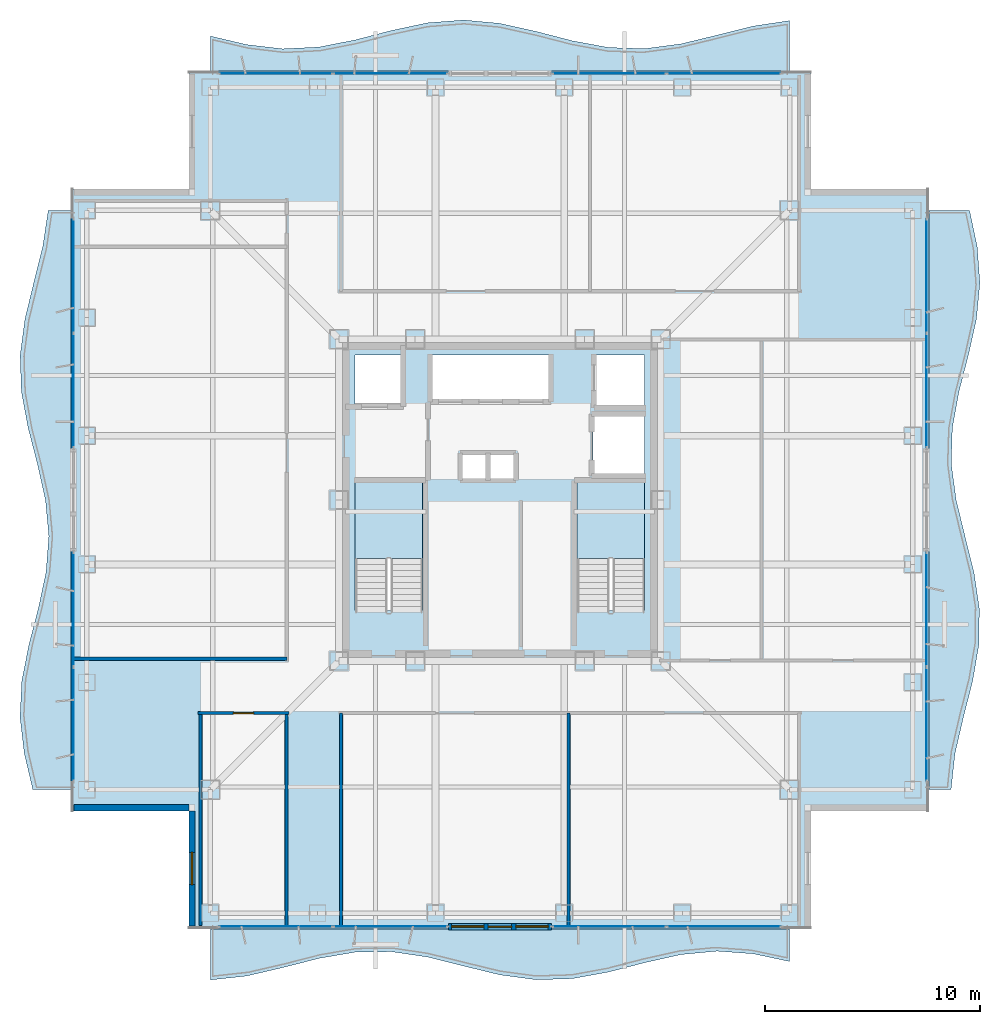
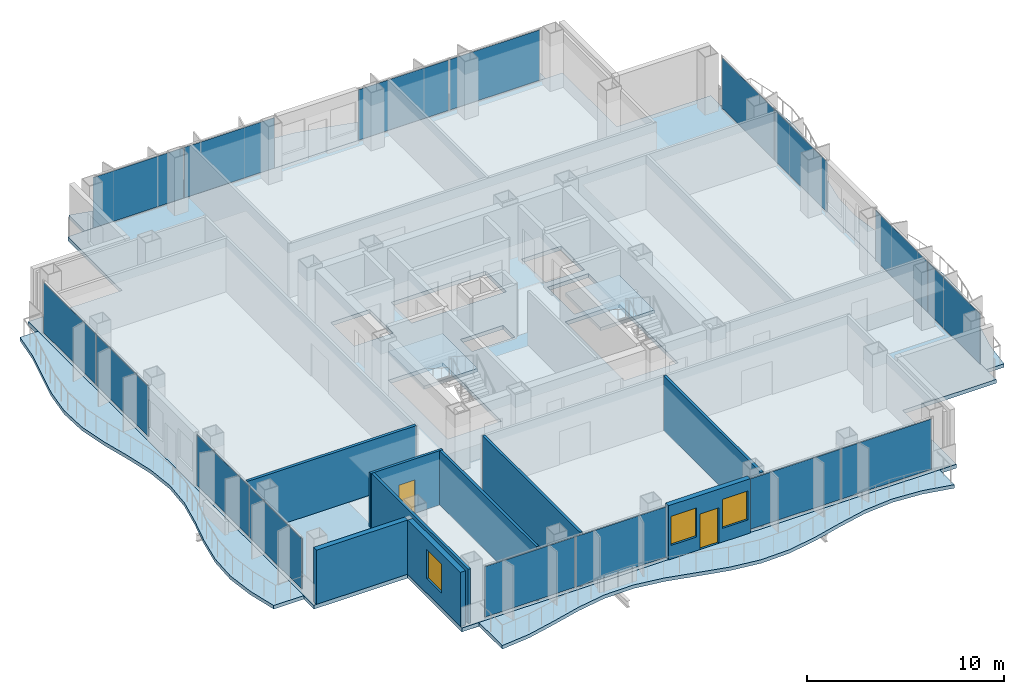
# One storey, part 10 of 16: 16 plates, 9 walls, 7 slabs, 3 windows, 2 doors, 5 openings, 10 elements without a shape of their own.
"""IFC4 building model written with IfcOpenShell, lengths in metres."""

import ifcopenshell
import ifcopenshell.guid

model = None  # the IFC model being written
_history = None  # IfcOwnerHistory: only IFC2X3 demands one
_inside = {}  # id of a spatial element -> (the spatial element, [elements in it])
_under = {}  # id of a project, library or spatial element -> (it, [spatial elements below it])
_declared = {}  # id of a project -> (the project, [libraries it declares])
_typed = {}  # id of a type object -> (the type object, [elements of that type])
_made_of = {}  # id of a material, layer set ... -> (it, [elements and type objects made of it])


def new_model(schema):
    """Start an empty IFC model of exactly this schema.

    Asked for "IFC4X3", IfcOpenShell would pick the latest addendum, in which some entities
    have other attributes; the version numbers below select the first issue.
    IFC2X3 requires an IfcOwnerHistory on every rooted entity: one is made here for all.
    """
    global model, _history
    if schema == "IFC4X3":
        model = ifcopenshell.file(schema_version=(4, 3, 0, 0))
    else:
        model = ifcopenshell.file(schema=schema)
    _inside.clear()
    _under.clear()
    _declared.clear()
    _typed.clear()
    _made_of.clear()
    _history = None
    if model.schema == "IFC2X3":
        org = make("IfcOrganization", Name="unknown")
        user = make(
            "IfcPersonAndOrganization",
            ThePerson=make("IfcPerson", FamilyName="unknown"),
            TheOrganization=org,
        )
        app = make(
            "IfcApplication",
            ApplicationDeveloper=org,
            Version="unknown",
            ApplicationFullName="unknown",
            ApplicationIdentifier="unknown",
        )
        _history = make(
            "IfcOwnerHistory",
            OwningUser=user,
            OwningApplication=app,
            ChangeAction="ADDED",
            CreationDate=0,
        )
    return model


def make(cls, **values):
    """One entity of the class cls with the attributes given. An attribute that is None is left unset."""
    return model.create_entity(
        cls, **{name: value for name, value in values.items() if value is not None}
    )


def rooted(cls, **values):
    """An entity with a GlobalId (a new one), such as an element, a storey or a relation."""
    return make(cls, GlobalId=ifcopenshell.guid.new(), OwnerHistory=_history, **values)


def si_unit(unit_type, name, prefix=None):
    """IfcSIUnit, for example si_unit("LENGTHUNIT", "METRE", prefix="MILLI")."""
    return make("IfcSIUnit", UnitType=unit_type, Prefix=prefix, Name=name)


def assignment(units):
    """IfcUnitAssignment: the units of a project."""
    return None if units is None else make("IfcUnitAssignment", Units=units)


def point(xyz):
    """IfcCartesianPoint."""
    return None if xyz is None else make("IfcCartesianPoint", Coordinates=xyz)


def direction(xyz):
    """IfcDirection."""
    return None if xyz is None else make("IfcDirection", DirectionRatios=xyz)


def frame(location, z_axis=None, x_axis=None):
    """IfcAxis2Placement3D, a coordinate frame: its origin and axes. An axis left out is left unset."""
    return make(
        "IfcAxis2Placement3D",
        Location=point(location),
        Axis=direction(z_axis),
        RefDirection=direction(x_axis),
    )


def frame_2d(location, x_axis=None):
    """IfcAxis2Placement2D, a coordinate frame in the plane: its origin and x axis."""
    return make(
        "IfcAxis2Placement2D", Location=point(location), RefDirection=direction(x_axis)
    )


def origin():
    """The frame at (0, 0, 0) with its axes left unset."""
    return frame((0.0, 0.0, 0.0))


def origin_2d():
    """The frame at (0, 0) in the plane with its x axis left unset."""
    return frame_2d((0.0, 0.0))


def place(relative_to, where):
    """IfcLocalPlacement: puts the frame where relative to a parent placement (None: the world)."""
    return make(
        "IfcLocalPlacement", PlacementRelTo=relative_to, RelativePlacement=where
    )


def context(
    kind, dimensions, precision=None, world=None, true_north=None, identifier=None
):
    """IfcGeometricRepresentationContext, for example the 3D "Model" context."""
    return make(
        "IfcGeometricRepresentationContext",
        ContextIdentifier=identifier,
        ContextType=kind,
        CoordinateSpaceDimension=dimensions,
        Precision=precision,
        WorldCoordinateSystem=world,
        TrueNorth=true_north,
    )


def subcontext(parent, identifier, kind, view, scale=None):
    """IfcGeometricRepresentationSubContext, for example "Body" below "Model"."""
    return make(
        "IfcGeometricRepresentationSubContext",
        ContextIdentifier=identifier,
        ContextType=kind,
        ParentContext=parent,
        TargetScale=scale,
        TargetView=view,
    )


def project(units=None, contexts=None):
    """IfcProject with its units and contexts."""
    return rooted(
        "IfcProject",
        Name="project",
        RepresentationContexts=contexts,
        UnitsInContext=assignment(units),
    )


def spatial(cls, under=None, at=None, **own):
    """A site, building, storey or space (cls), placed at a placement, below another one or the project."""
    s = rooted(cls, ObjectPlacement=at, **own)
    if under is not None:
        _under.setdefault(under.id(), (under, []))[1].append(s)
    return s


def polyline(points):
    """IfcPolyline through the points."""
    return make("IfcPolyline", Points=[point(p) for p in points])


def profile(cls, at=None, kind="AREA", **sizes):
    """A parametric profile (cls). Its sizes go by their IFC names, for example OverallWidth=200.0."""
    return make(cls, ProfileType=kind, Position=at, **sizes)


def rectangle(**sizes):
    """IfcRectangleProfileDef."""
    return profile("IfcRectangleProfileDef", **sizes)


def outline(outer, holes=None, kind="AREA"):
    """IfcArbitraryClosedProfileDef: a profile drawn as a closed curve; with holes, ...WithVoids."""
    if holes is None:
        return make("IfcArbitraryClosedProfileDef", ProfileType=kind, OuterCurve=outer)
    return make(
        "IfcArbitraryProfileDefWithVoids",
        ProfileType=kind,
        OuterCurve=outer,
        InnerCurves=holes,
    )


def extrude(swept, where, along, depth):
    """IfcExtrudedAreaSolid: the profile swept, set in the frame where, extruded along a direction by depth."""
    return make(
        "IfcExtrudedAreaSolid",
        SweptArea=swept,
        Position=where,
        ExtrudedDirection=direction(along),
        Depth=depth,
    )


def shape(context_of_items, identifier, shape_type, items):
    """IfcShapeRepresentation: the items that make up one representation, for example the "Body"."""
    return make(
        "IfcShapeRepresentation",
        ContextOfItems=context_of_items,
        RepresentationIdentifier=identifier,
        RepresentationType=shape_type,
        Items=items,
    )


def material(Name=None, Category=None):
    """IfcMaterial."""
    return make("IfcMaterial", Name=Name, Category=Category)


def layer(
    of_material, thickness, ventilated=None, Name=None, Category=None, Priority=None
):
    """IfcMaterialLayer: one layer of a wall or slab, of a material (None: an air gap)."""
    return make(
        "IfcMaterialLayer",
        Material=of_material,
        LayerThickness=thickness,
        IsVentilated=ventilated,
        Name=Name,
        Category=Category,
        Priority=Priority,
    )


def layer_set(layers, Name=None):
    """IfcMaterialLayerSet."""
    return make("IfcMaterialLayerSet", MaterialLayers=layers, LayerSetName=Name)


def made_of(thing, what):
    """Note that an element or type object is made of a material, layer set ...; save() writes the relation."""
    if what is not None:
        _made_of.setdefault(what.id(), (what, []))[1].append(thing)
    return thing


def type_object(cls, material=None, **own):
    """A type object (cls), such as IfcWallType, which elements share."""
    return made_of(rooted(cls, **own), material)


def element(
    cls,
    number,
    at=None,
    inside=None,
    cuts=None,
    type_object=None,
    material=None,
    context=None,
    identifier="Body",
    shape_type=None,
    held_by="IfcProductDefinitionShape",
    body=None,
    shapes=None,
    **own,
):
    """One element of the class cls, such as IfcWall. Its Tag is "e" and its number.

    at: its placement. inside: the storey or other place that contains it. cuts: it is an
    opening in that element (IfcRelVoidsElement). A single representation is given by context,
    identifier, shape_type and body (its items); several are given by shapes. held_by: the class
    of the entity that holds the representations. save() writes the other relations.
    """
    e = rooted(cls, Tag="e%d" % number, ObjectPlacement=at, **own)
    if body is not None:
        shapes = [shape(context, identifier, shape_type, body)]
    if shapes is not None:
        e.Representation = make(held_by, Representations=shapes)
    if inside is not None:
        _inside.setdefault(inside.id(), (inside, []))[1].append(e)
    if cuts is not None:
        rooted(
            "IfcRelVoidsElement", RelatingBuildingElement=cuts, RelatedOpeningElement=e
        )
    if type_object is not None:
        _typed.setdefault(type_object.id(), (type_object, []))[1].append(e)
    return made_of(e, material)


def fill(opening, filler):
    """IfcRelFillsElement: the door or window that sits in an opening."""
    return rooted(
        "IfcRelFillsElement",
        RelatingOpeningElement=opening,
        RelatedBuildingElement=filler,
    )


def aggregate(whole, parts):
    """IfcRelAggregates: a whole, such as a stair, and the parts it consists of."""
    return rooted("IfcRelAggregates", RelatingObject=whole, RelatedObjects=parts)


def save(model, path):
    """Write the relations noted so far, then the file.

    IfcRelAggregates (storeys below a building ...), IfcRelContainedInSpatialStructure (elements
    in a storey), IfcRelDefinesByType, IfcRelAssociatesMaterial and IfcRelDeclares: one each for
    every whole, place, type object, material and project.
    """
    for whole, parts in _under.values():
        aggregate(whole, parts)
    for where, things in _inside.values():
        rooted(
            "IfcRelContainedInSpatialStructure",
            RelatedElements=things,
            RelatingStructure=where,
        )
    for kind, things in _typed.values():
        rooted("IfcRelDefinesByType", RelatedObjects=things, RelatingType=kind)
    for what, things in _made_of.values():
        rooted("IfcRelAssociatesMaterial", RelatedObjects=things, RelatingMaterial=what)
    for by, libraries in _declared.values():
        rooted("IfcRelDeclares", RelatingContext=by, RelatedDefinitions=libraries)
    model.write(path)


model = new_model("IFC4")

# Units and contexts
model_context = context("Model", 3, precision=1e-05, world=origin(), true_north=direction((0.0, 1.0)))
body_context = subcontext(model_context, "Body", "Model", "MODEL_VIEW")
ifc_project = project(units=[si_unit("LENGTHUNIT", "METRE"), si_unit("AREAUNIT", "SQUARE_METRE"), si_unit("VOLUMEUNIT", "CUBIC_METRE"), si_unit("PLANEANGLEUNIT", "RADIAN"), si_unit("MASSUNIT", "GRAM", prefix="KILO")], contexts=[model_context])

# Site, building, storey
site_placement = place(None, origin())
site = spatial("IfcSite", under=ifc_project, at=site_placement, CompositionType="ELEMENT")
building_placement = place(site_placement, origin())
building = spatial("IfcBuilding", under=site, at=building_placement, Name="Trevonay Congress Spire", CompositionType="ELEMENT")
storey_placement = place(building_placement, frame((0.0, 0.0, 195.0)))
storey = spatial("IfcBuildingStorey", under=building, at=storey_placement, Name="L50", CompositionType="ELEMENT", Elevation=195.0)

# Curtain wall, plates
ifc_material_1 = material(Name="Pale Anodised Aluminium EN AW-6063-T6", Category="aluminium")
ifc_layer_1 = layer(ifc_material_1, 0.169921875, Name="Pale Anodised Aluminium EN AW-6063-T6")
ifc_layer_set_1 = layer_set([ifc_layer_1], Name="Pale Anodised Aluminium EN AW-6063-T6")
curtain_wall_type = type_object("IfcCurtainWallType", Name="CW-SYS04-CORP-PALE-METAL", PredefinedType="NOTDEFINED", material=ifc_layer_set_1)
curtain_wall_1_placement = place(storey_placement, origin())
curtain_wall_1 = element("IfcCurtainWall", 1, at=curtain_wall_1_placement, inside=storey, type_object=curtain_wall_type, Name="L50 SA unitised curtain wall", PredefinedType="NOTDEFINED")
ifc_material_2 = material(Name="Insulated Low-E Vision Glass IGU", Category="glass")
ifc_layer_2 = layer(ifc_material_2, 0.035888671875, Name="Insulated Low-E Vision Glass IGU")
ifc_layer_set_2 = layer_set([ifc_layer_2], Name="Insulated Low-E Vision Glass IGU")
plate_type = type_object("IfcPlateType", Name="CW-PANEL-IGU36-SILVER", PredefinedType="CURTAIN_PANEL", material=ifc_layer_set_2)
plate_1_placement = place(storey_placement, frame((-10.447509765625, -19.8798828125, 0.119873046875), z_axis=(0.0, 0.0, 1.0), x_axis=(1.0, 0.0, 0.0)))
plate_1 = element("IfcPlate", 2, at=plate_1_placement, type_object=plate_type, Name="CW04 panel 1.1", PredefinedType="CURTAIN_PANEL", context=body_context, shape_type="SweptSolid", body=[
    extrude(rectangle(XDim=5.284912109375, YDim=0.035888671875, at=origin_2d()), origin(), (0.0, 0.0, 1.0), 3.1201171875),
])
plate_2_placement = place(storey_placement, frame((-5.1025390625, -19.8798828125, 0.119873046875), z_axis=(0.0, 0.0, 1.0), x_axis=(1.0, 0.0, 0.0)))
plate_2 = element("IfcPlate", 3, at=plate_2_placement, type_object=plate_type, Name="CW04 panel 2.1", PredefinedType="CURTAIN_PANEL", context=body_context, shape_type="SweptSolid", body=[
    extrude(rectangle(XDim=5.284912109375, YDim=0.035888671875, at=origin_2d()), origin(), (0.0, 0.0, 1.0), 3.1201171875),
])
aggregate(curtain_wall_1, [plate_1, plate_2])

curtain_wall_2_placement = place(storey_placement, origin())
curtain_wall_2 = element("IfcCurtainWall", 4, at=curtain_wall_2_placement, inside=storey, type_object=curtain_wall_type, Name="L50 SB unitised curtain wall", PredefinedType="NOTDEFINED")
plate_3_placement = place(storey_placement, frame((5.1025390625, -19.8798828125, 0.119873046875), z_axis=(0.0, 0.0, 1.0), x_axis=(1.0, 0.0, 0.0)))
plate_3 = element("IfcPlate", 5, at=plate_3_placement, type_object=plate_type, Name="CW04 panel 1.1", PredefinedType="CURTAIN_PANEL", context=body_context, shape_type="SweptSolid", body=[
    extrude(rectangle(XDim=5.284912109375, YDim=0.035888671875, at=origin_2d()), origin(), (0.0, 0.0, 1.0), 3.1201171875),
])
plate_4_placement = place(storey_placement, frame((10.447509765625, -19.8798828125, 0.119873046875), z_axis=(0.0, 0.0, 1.0), x_axis=(1.0, 0.0, 0.0)))
plate_4 = element("IfcPlate", 6, at=plate_4_placement, type_object=plate_type, Name="CW04 panel 2.1", PredefinedType="CURTAIN_PANEL", context=body_context, shape_type="SweptSolid", body=[
    extrude(rectangle(XDim=5.284912109375, YDim=0.035888671875, at=origin_2d()), origin(), (0.0, 0.0, 1.0), 3.1201171875),
])
aggregate(curtain_wall_2, [plate_3, plate_4])

curtain_wall_3_placement = place(storey_placement, origin())
curtain_wall_3 = element("IfcCurtainWall", 7, at=curtain_wall_3_placement, inside=storey, type_object=curtain_wall_type, Name="L50 NA unitised curtain wall", PredefinedType="NOTDEFINED")
plate_5_placement = place(storey_placement, frame((-10.447509765625, 19.8798828125, 0.119873046875), z_axis=(0.0, 0.0, 1.0), x_axis=(1.0, 0.0, 0.0)))
plate_5 = element("IfcPlate", 8, at=plate_5_placement, type_object=plate_type, Name="CW04 panel 1.1", PredefinedType="CURTAIN_PANEL", context=body_context, shape_type="SweptSolid", body=[
    extrude(rectangle(XDim=5.284912109375, YDim=0.035888671875, at=origin_2d()), origin(), (0.0, 0.0, 1.0), 3.1201171875),
])
plate_6_placement = place(storey_placement, frame((-5.1025390625, 19.8798828125, 0.119873046875), z_axis=(0.0, 0.0, 1.0), x_axis=(1.0, 0.0, 0.0)))
plate_6 = element("IfcPlate", 9, at=plate_6_placement, type_object=plate_type, Name="CW04 panel 2.1", PredefinedType="CURTAIN_PANEL", context=body_context, shape_type="SweptSolid", body=[
    extrude(rectangle(XDim=5.284912109375, YDim=0.035888671875, at=origin_2d()), origin(), (0.0, 0.0, 1.0), 3.1201171875),
])
aggregate(curtain_wall_3, [plate_5, plate_6])

curtain_wall_4_placement = place(storey_placement, origin())
curtain_wall_4 = element("IfcCurtainWall", 10, at=curtain_wall_4_placement, inside=storey, type_object=curtain_wall_type, Name="L50 NB unitised curtain wall", PredefinedType="NOTDEFINED")
plate_7_placement = place(storey_placement, frame((5.1025390625, 19.8798828125, 0.119873046875), z_axis=(0.0, 0.0, 1.0), x_axis=(1.0, 0.0, 0.0)))
plate_7 = element("IfcPlate", 11, at=plate_7_placement, type_object=plate_type, Name="CW04 panel 1.1", PredefinedType="CURTAIN_PANEL", context=body_context, shape_type="SweptSolid", body=[
    extrude(rectangle(XDim=5.284912109375, YDim=0.035888671875, at=origin_2d()), origin(), (0.0, 0.0, 1.0), 3.1201171875),
])
plate_8_placement = place(storey_placement, frame((10.447509765625, 19.8798828125, 0.119873046875), z_axis=(0.0, 0.0, 1.0), x_axis=(1.0, 0.0, 0.0)))
plate_8 = element("IfcPlate", 12, at=plate_8_placement, type_object=plate_type, Name="CW04 panel 2.1", PredefinedType="CURTAIN_PANEL", context=body_context, shape_type="SweptSolid", body=[
    extrude(rectangle(XDim=5.284912109375, YDim=0.035888671875, at=origin_2d()), origin(), (0.0, 0.0, 1.0), 3.1201171875),
])
aggregate(curtain_wall_4, [plate_7, plate_8])

curtain_wall_5_placement = place(storey_placement, origin())
curtain_wall_5 = element("IfcCurtainWall", 13, at=curtain_wall_5_placement, inside=storey, type_object=curtain_wall_type, Name="L50 WA unitised curtain wall", PredefinedType="NOTDEFINED")
plate_9_placement = place(storey_placement, frame((-19.8798828125, -10.447509765625, 0.119873046875), z_axis=(0.0, 0.0, 1.0), x_axis=(0.0, 1.0, 0.0)))
plate_9 = element("IfcPlate", 14, at=plate_9_placement, type_object=plate_type, Name="CW04 panel 1.1", PredefinedType="CURTAIN_PANEL", context=body_context, shape_type="SweptSolid", body=[
    extrude(rectangle(XDim=5.284912109375, YDim=0.035888671875, at=origin_2d()), origin(), (0.0, 0.0, 1.0), 3.1201171875),
])
plate_10_placement = place(storey_placement, frame((-19.8798828125, -5.1025390625, 0.119873046875), z_axis=(0.0, 0.0, 1.0), x_axis=(0.0, 1.0, 0.0)))
plate_10 = element("IfcPlate", 15, at=plate_10_placement, type_object=plate_type, Name="CW04 panel 2.1", PredefinedType="CURTAIN_PANEL", context=body_context, shape_type="SweptSolid", body=[
    extrude(rectangle(XDim=5.284912109375, YDim=0.035888671875, at=origin_2d()), origin(), (0.0, 0.0, 1.0), 3.1201171875),
])
aggregate(curtain_wall_5, [plate_9, plate_10])

curtain_wall_6_placement = place(storey_placement, origin())
curtain_wall_6 = element("IfcCurtainWall", 16, at=curtain_wall_6_placement, inside=storey, type_object=curtain_wall_type, Name="L50 WB unitised curtain wall", PredefinedType="NOTDEFINED")
plate_11_placement = place(storey_placement, frame((-19.8798828125, 5.1025390625, 0.119873046875), z_axis=(0.0, 0.0, 1.0), x_axis=(0.0, 1.0, 0.0)))
plate_11 = element("IfcPlate", 17, at=plate_11_placement, type_object=plate_type, Name="CW04 panel 1.1", PredefinedType="CURTAIN_PANEL", context=body_context, shape_type="SweptSolid", body=[
    extrude(rectangle(XDim=5.284912109375, YDim=0.035888671875, at=origin_2d()), origin(), (0.0, 0.0, 1.0), 3.1201171875),
])
plate_12_placement = place(storey_placement, frame((-19.8798828125, 10.447509765625, 0.119873046875), z_axis=(0.0, 0.0, 1.0), x_axis=(0.0, 1.0, 0.0)))
plate_12 = element("IfcPlate", 18, at=plate_12_placement, type_object=plate_type, Name="CW04 panel 2.1", PredefinedType="CURTAIN_PANEL", context=body_context, shape_type="SweptSolid", body=[
    extrude(rectangle(XDim=5.284912109375, YDim=0.035888671875, at=origin_2d()), origin(), (0.0, 0.0, 1.0), 3.1201171875),
])
aggregate(curtain_wall_6, [plate_11, plate_12])

curtain_wall_7_placement = place(storey_placement, origin())
curtain_wall_7 = element("IfcCurtainWall", 19, at=curtain_wall_7_placement, inside=storey, type_object=curtain_wall_type, Name="L50 EA unitised curtain wall", PredefinedType="NOTDEFINED")
plate_13_placement = place(storey_placement, frame((19.8798828125, -10.447509765625, 0.119873046875), z_axis=(0.0, 0.0, 1.0), x_axis=(0.0, 1.0, 0.0)))
plate_13 = element("IfcPlate", 20, at=plate_13_placement, type_object=plate_type, Name="CW04 panel 1.1", PredefinedType="CURTAIN_PANEL", context=body_context, shape_type="SweptSolid", body=[
    extrude(rectangle(XDim=5.284912109375, YDim=0.035888671875, at=origin_2d()), origin(), (0.0, 0.0, 1.0), 3.1201171875),
])
plate_14_placement = place(storey_placement, frame((19.8798828125, -5.1025390625, 0.119873046875), z_axis=(0.0, 0.0, 1.0), x_axis=(0.0, 1.0, 0.0)))
plate_14 = element("IfcPlate", 21, at=plate_14_placement, type_object=plate_type, Name="CW04 panel 2.1", PredefinedType="CURTAIN_PANEL", context=body_context, shape_type="SweptSolid", body=[
    extrude(rectangle(XDim=5.284912109375, YDim=0.035888671875, at=origin_2d()), origin(), (0.0, 0.0, 1.0), 3.1201171875),
])
aggregate(curtain_wall_7, [plate_13, plate_14])

curtain_wall_8_placement = place(storey_placement, origin())
curtain_wall_8 = element("IfcCurtainWall", 22, at=curtain_wall_8_placement, inside=storey, type_object=curtain_wall_type, Name="L50 EB unitised curtain wall", PredefinedType="NOTDEFINED")
plate_15_placement = place(storey_placement, frame((19.8798828125, 5.1025390625, 0.119873046875), z_axis=(0.0, 0.0, 1.0), x_axis=(0.0, 1.0, 0.0)))
plate_15 = element("IfcPlate", 23, at=plate_15_placement, type_object=plate_type, Name="CW04 panel 1.1", PredefinedType="CURTAIN_PANEL", context=body_context, shape_type="SweptSolid", body=[
    extrude(rectangle(XDim=5.284912109375, YDim=0.035888671875, at=origin_2d()), origin(), (0.0, 0.0, 1.0), 3.1201171875),
])
plate_16_placement = place(storey_placement, frame((19.8798828125, 10.447509765625, 0.119873046875), z_axis=(0.0, 0.0, 1.0), x_axis=(0.0, 1.0, 0.0)))
plate_16 = element("IfcPlate", 24, at=plate_16_placement, type_object=plate_type, Name="CW04 panel 2.1", PredefinedType="CURTAIN_PANEL", context=body_context, shape_type="SweptSolid", body=[
    extrude(rectangle(XDim=5.284912109375, YDim=0.035888671875, at=origin_2d()), origin(), (0.0, 0.0, 1.0), 3.1201171875),
])
aggregate(curtain_wall_8, [plate_15, plate_16])

# Stair, slab
ifc_material_3 = material(Name="Concrete C40/50", Category="concrete")
stair_type_1 = type_object("IfcStairType", Name="STR-ST-1", PredefinedType="HALF_TURN_STAIR", material=ifc_material_3)
stair_1_placement = place(storey_placement, origin())
stair_1 = element("IfcStair", 25, at=stair_1_placement, inside=storey, type_object=stair_type_1, Name="L50 Protected Exit Stair ST-1", PredefinedType="HALF_TURN_STAIR")
ifc_layer_3 = layer(ifc_material_3, 0.199951171875, Name="Concrete C40/50")
ifc_layer_set_3 = layer_set([ifc_layer_3], Name="Concrete C40/50")
slab_type_1 = type_object("IfcSlabType", Name="SLB-STAIR-LAND-200", PredefinedType="LANDING", material=ifc_layer_set_3)
slab_1_placement = place(storey_placement, frame((0.0, 0.0, 1.60009765625)))
slab_1 = element("IfcSlab", 26, at=slab_1_placement, type_object=slab_type_1, Name="ST-1 landing 1", PredefinedType="LANDING", context=body_context, shape_type="SweptSolid", body=[
    extrude(outline(polyline([(-3.60009765625, -2.72998046875), (-3.60009765625, 0.85009765625), (-6.75, 0.85009765625), (-6.75, -2.72998046875), (-3.60009765625, -2.72998046875)])), origin(), (0.0, 0.0, 1.0), 0.199951171875),
])
aggregate(stair_1, [slab_1])

stair_type_2 = type_object("IfcStairType", Name="STR-ST-2", PredefinedType="HALF_TURN_STAIR", material=ifc_material_3)
stair_2_placement = place(storey_placement, origin())
stair_2 = element("IfcStair", 27, at=stair_2_placement, inside=storey, type_object=stair_type_2, Name="L50 Protected Exit Stair ST-2", PredefinedType="HALF_TURN_STAIR")
slab_2_placement = place(storey_placement, frame((0.0, 0.0, 1.60009765625)))
slab_2 = element("IfcSlab", 28, at=slab_2_placement, type_object=slab_type_1, Name="ST-2 landing 1", PredefinedType="LANDING", context=body_context, shape_type="SweptSolid", body=[
    extrude(outline(polyline([(6.75, -2.72998046875), (6.75, 0.85009765625), (3.60009765625, 0.85009765625), (3.60009765625, -2.72998046875), (6.75, -2.72998046875)])), origin(), (0.0, 0.0, 1.0), 0.199951171875),
])
aggregate(stair_2, [slab_2])

# Slabs
ifc_layer_4 = layer(ifc_material_3, 0.239990234375, Name="Concrete C40/50")
ifc_layer_set_4 = layer_set([ifc_layer_4], Name="Concrete C40/50")
slab_type_2 = type_object("IfcSlabType", Name="SLB-TOW2-240", PredefinedType="FLOOR", material=ifc_layer_set_4)
slab_3_placement = place(storey_placement, frame((0.0, 0.0, -0.239990234375)))
element("IfcSlab", 29, at=slab_3_placement, inside=storey, type_object=slab_type_2, Name="L50 structural floor slab", PredefinedType="FLOOR", context=body_context, shape_type="SweptSolid", body=[
    extrude(outline(polyline([(-14.5, -20.0), (14.5, -20.0), (14.5, -14.5), (20.0, -14.5), (20.0, 14.5), (14.5, 14.5), (14.5, 20.0), (-14.5, 20.0), (-14.5, 14.5), (-20.0, 14.5), (-20.0, -14.5), (-14.5, -14.5), (-14.5, -20.0)]), holes=[polyline([(-3.60009765625, -5.14990234375), (-3.60009765625, 0.85009765625), (-6.75, 0.85009765625), (-6.75, -5.14990234375), (-3.60009765625, -5.14990234375)]), polyline([(6.75, -5.14990234375), (6.75, 0.85009765625), (3.60009765625, 0.85009765625), (3.60009765625, -5.14990234375), (6.75, -5.14990234375)]), polyline([(-3.199951171875, 4.64990234375), (2.340087890625, 4.64990234375), (2.340087890625, 6.75), (-3.199951171875, 6.75), (-3.199951171875, 4.64990234375)]), polyline([(-6.75, 4.35009765625), (-4.449951171875, 4.35009765625), (-4.449951171875, 6.75), (-6.75, 6.75), (-6.75, 4.35009765625)]), polyline([(4.449951171875, 4.35009765625), (6.75, 4.35009765625), (6.75, 6.75), (4.449951171875, 6.75), (4.449951171875, 4.35009765625)]), polyline([(4.35009765625, 1.199951171875), (6.75, 1.199951171875), (6.75, 3.949951171875), (4.35009765625, 3.949951171875), (4.35009765625, 1.199951171875)]), polyline([(-1.800048828125, 0.949951171875), (0.699951171875, 0.949951171875), (0.699951171875, 2.14990234375), (-1.800048828125, 2.14990234375), (-1.800048828125, 0.949951171875)])]), origin(), (0.0, 0.0, 1.0), 0.239990234375),
])
ifc_layer_5 = layer(ifc_material_3, 0.219970703125, Name="Concrete C40/50")
ifc_layer_set_5 = layer_set([ifc_layer_5], Name="Concrete C40/50")
slab_type_3 = type_object("IfcSlabType", Name="SLB-WAVE-220", PredefinedType="FLOOR", material=ifc_layer_set_5)
slab_4_placement = place(storey_placement, frame((0.0, 0.0, -0.219970703125)))
element("IfcSlab", 30, at=slab_4_placement, inside=storey, type_object=slab_type_3, Name="L50 sinusoidal louvre-balcony deck S", PredefinedType="FLOOR", context=body_context, shape_type="SweptSolid", body=[
    extrude(outline(polyline([(-13.5, -22.37109375), (-11.81201171875, -22.18603515625), (-10.125, -21.794921875), (-8.43798828125, -21.364013671875), (-6.75, -21.074951171875), (-5.06201171875, -21.051025390625), (-3.375, -21.301025390625), (-1.68798828125, -21.720947265625), (0.0, -22.132080078125), (1.68798828125, -22.360107421875), (3.375, -22.30810546875), (5.06201171875, -22.0), (6.75, -21.56396484375), (8.43798828125, -21.18603515625), (10.125, -21.02587890625), (11.81201171875, -21.15087890625), (13.5, -21.508056640625), (13.5, -20.0), (11.81201171875, -20.0), (10.125, -20.0), (8.43798828125, -20.0), (6.75, -20.0), (5.06201171875, -20.0), (3.375, -20.0), (1.68798828125, -20.0), (0.0, -20.0), (-1.68798828125, -20.0), (-3.375, -20.0), (-5.06201171875, -20.0), (-6.75, -20.0), (-8.43798828125, -20.0), (-10.125, -20.0), (-11.81201171875, -20.0), (-13.5, -20.0), (-13.5, -22.37109375)])), origin(), (0.0, 0.0, 1.0), 0.219970703125),
])
slab_5_placement = place(storey_placement, frame((0.0, 0.0, -0.219970703125)))
element("IfcSlab", 31, at=slab_5_placement, inside=storey, type_object=slab_type_3, Name="L50 sinusoidal louvre-balcony deck N", PredefinedType="FLOOR", context=body_context, shape_type="SweptSolid", body=[
    extrude(outline(polyline([(-13.5, 20.0), (-11.81201171875, 20.0), (-10.125, 20.0), (-8.43798828125, 20.0), (-6.75, 20.0), (-5.06201171875, 20.0), (-3.375, 20.0), (-1.68798828125, 20.0), (0.0, 20.0), (1.68798828125, 20.0), (3.375, 20.0), (5.06201171875, 20.0), (6.75, 20.0), (8.43798828125, 20.0), (10.125, 20.0), (11.81201171875, 20.0), (13.5, 20.0), (13.5, 22.346923828125), (11.81201171875, 22.092041015625), (10.125, 21.6708984375), (8.43798828125, 21.262939453125), (6.75, 21.0390625), (5.06201171875, 21.094970703125), (3.375, 21.406982421875), (1.68798828125, 21.843017578125), (0.0, 22.218994140625), (-1.68798828125, 22.375), (-3.375, 22.2451171875), (-5.06201171875, 21.884033203125), (-6.75, 21.446044921875), (-8.43798828125, 21.114990234375), (-10.125, 21.031982421875), (-11.81201171875, 21.23095703125), (-13.5, 21.62890625), (-13.5, 20.0)])), origin(), (0.0, 0.0, 1.0), 0.219970703125),
])
slab_6_placement = place(storey_placement, frame((0.0, 0.0, -0.219970703125)))
element("IfcSlab", 32, at=slab_6_placement, inside=storey, type_object=slab_type_3, Name="L50 sinusoidal louvre-balcony deck E", PredefinedType="FLOOR", context=body_context, shape_type="SweptSolid", body=[
    extrude(outline(polyline([(21.029052734375, -13.5), (21.214111328125, -11.81201171875), (21.60498046875, -10.125), (22.035888671875, -8.43798828125), (22.324951171875, -6.75), (22.34912109375, -5.06201171875), (22.09912109375, -3.375), (21.678955078125, -1.68798828125), (21.26806640625, 0.0), (21.0400390625, 1.68798828125), (21.092041015625, 3.375), (21.39990234375, 5.06201171875), (21.8359375, 6.75), (22.214111328125, 8.43798828125), (22.3740234375, 10.125), (22.2490234375, 11.81201171875), (21.89208984375, 13.5), (20.0, 13.5), (20.0, 11.81201171875), (20.0, 10.125), (20.0, 8.43798828125), (20.0, 6.75), (20.0, 5.06201171875), (20.0, 3.375), (20.0, 1.68798828125), (20.0, 0.0), (20.0, -1.68798828125), (20.0, -3.375), (20.0, -5.06201171875), (20.0, -6.75), (20.0, -8.43798828125), (20.0, -10.125), (20.0, -11.81201171875), (20.0, -13.5), (21.029052734375, -13.5)])), origin(), (0.0, 0.0, 1.0), 0.219970703125),
])
slab_7_placement = place(storey_placement, frame((0.0, 0.0, -0.219970703125)))
element("IfcSlab", 33, at=slab_7_placement, inside=storey, type_object=slab_type_3, Name="L50 sinusoidal louvre-balcony deck W", PredefinedType="FLOOR", context=body_context, shape_type="SweptSolid", body=[
    extrude(outline(polyline([(-20.0, -13.5), (-20.0, -11.81201171875), (-20.0, -10.125), (-20.0, -8.43798828125), (-20.0, -6.75), (-20.0, -5.06201171875), (-20.0, -3.375), (-20.0, -1.68798828125), (-20.0, 0.0), (-20.0, 1.68798828125), (-20.0, 3.375), (-20.0, 5.06201171875), (-20.0, 6.75), (-20.0, 8.43798828125), (-20.0, 10.125), (-20.0, 11.81201171875), (-20.0, 13.5), (-21.052978515625, 13.5), (-21.30810546875, 11.81201171875), (-21.72900390625, 10.125), (-22.136962890625, 8.43798828125), (-22.361083984375, 6.75), (-22.304931640625, 5.06201171875), (-21.992919921875, 3.375), (-21.556884765625, 1.68798828125), (-21.180908203125, 0.0), (-21.02490234375, -1.68798828125), (-21.155029296875, -3.375), (-21.51611328125, -5.06201171875), (-21.9541015625, -6.75), (-22.284912109375, -8.43798828125), (-22.367919921875, -10.125), (-22.1689453125, -11.81201171875), (-21.77099609375, -13.5), (-20.0, -13.5)])), origin(), (0.0, 0.0, 1.0), 0.219970703125),
])

# Wall, opening, door
ifc_layer_6 = layer(ifc_material_3, 0.14990234375, Name="Concrete C40/50")
ifc_layer_set_6 = layer_set([ifc_layer_6], Name="Concrete C40/50")
wall_type_1 = type_object("IfcWallType", Name="WAL-CORR-150", PredefinedType="PARTITIONING", material=ifc_layer_set_6)
wall_1_placement = place(storey_placement, frame((-14.070068359375, -9.929931640625, 0.0), z_axis=(0.0, 0.0, 1.0), x_axis=(1.0, 0.0, 0.0)))
wall_1 = element("IfcWall", 34, at=wall_1_placement, inside=storey, type_object=wall_type_1, Name="L50 interior wall WP-L50SW-COR", PredefinedType="PARTITIONING", context=body_context, shape_type="SweptSolid", body=[
    extrude(rectangle(XDim=4.239990234375, YDim=0.14990234375, at=frame_2d((2.1201171875, 0.0))), origin(), (0.0, 0.0, 1.0), 3.360107421875),
])
opening_1_placement = place(wall_1_placement, frame((1.64501953125, 0.0, 0.0)))
opening_1 = element("IfcOpeningElement", 35, at=opening_1_placement, cuts=wall_1, Name="Opening D07", PredefinedType="OPENING", context=body_context, shape_type="SweptSolid", body=[
    extrude(rectangle(XDim=0.949951171875, YDim=2.06005859375, at=frame_2d((0.47509765625, 1.030029296875))), frame((0.0, 0.0849609375, 0.0), z_axis=(0.0, -1.0, 0.0), x_axis=(1.0, 0.0, 0.0)), (0.0, 0.0, 1.0), 0.169921875),
])
door_type_1 = type_object("IfcDoorType", Name="DOR-OFFICE-95", OperationType="NOTDEFINED", PredefinedType="DOOR", material=ifc_material_1)
door_1_placement = place(opening_1_placement, origin())
door_1 = element("IfcDoor", 36, at=door_1_placement, inside=storey, type_object=door_type_1, Name="L50 Sommelier Wine Tasting Cellar Door", OperationType="SINGLE_SWING_RIGHT", OverallHeight=2.06005859375, OverallWidth=0.949951171875, PredefinedType="DOOR", context=body_context, shape_type="SweptSolid", body=[
    extrude(rectangle(XDim=0.949951171875, YDim=2.06005859375, at=frame_2d((0.47509765625, 1.030029296875))), frame((0.0, 0.02490234375, 0.0), z_axis=(0.0, -1.0, 0.0), x_axis=(1.0, 0.0, 0.0)), (0.0, 0.0, 1.0), 0.050048828125),
])
fill(opening_1, door_1)

# Wall, openings, door, windows
ifc_material_4 = material(Name="Precast concrete C40/50", Category="concrete")
ifc_layer_7 = layer(ifc_material_4, 0.300048828125, Name="Precast concrete C40/50")
ifc_layer_set_7 = layer_set([ifc_layer_7], Name="Precast concrete C40/50")
wall_type_2 = type_object("IfcWallType", Name="WAL-EXT-PRECAST-300", PredefinedType="SOLIDWALL", material=ifc_layer_set_7)
wall_2_placement = place(storey_placement, frame((-2.39990234375, -19.8798828125, 0.0), z_axis=(0.0, 0.0, 1.0), x_axis=(1.0, 0.0, 0.0)))
wall_2 = element("IfcWall", 37, at=wall_2_placement, inside=storey, type_object=wall_type_2, Name="L50 S glazed balcony portal exterior wall", PredefinedType="SOLIDWALL", context=body_context, shape_type="SweptSolid", body=[
    extrude(rectangle(XDim=4.7998046875, YDim=0.300048828125, at=frame_2d((2.39990234375, 0.0))), origin(), (0.0, 0.0, 1.0), 3.360107421875),
])
opening_2_placement = place(wall_2_placement, frame((1.85009765625, 0.0, 0.0)))
opening_2 = element("IfcOpeningElement", 38, at=opening_2_placement, cuts=wall_2, Name="Opening D03", PredefinedType="OPENING", context=body_context, shape_type="SweptSolid", body=[
    extrude(rectangle(XDim=1.10009765625, YDim=2.199951171875, at=frame_2d((0.550048828125, 1.10009765625))), frame((0.0, 0.16015625, 0.0), z_axis=(0.0, -1.0, 0.0), x_axis=(1.0, 0.0, 0.0)), (0.0, 0.0, 1.0), 0.320068359375),
])
opening_3_placement = place(wall_2_placement, frame((0.14990234375, 0.0, 0.85009765625)))
opening_3 = element("IfcOpeningElement", 39, at=opening_3_placement, cuts=wall_2, Name="Opening WN03", PredefinedType="OPENING", context=body_context, shape_type="SweptSolid", body=[
    extrude(rectangle(XDim=1.5, YDim=1.800048828125, at=frame_2d((0.75, 0.89990234375))), frame((0.0, 0.16015625, 0.0), z_axis=(0.0, -1.0, 0.0), x_axis=(1.0, 0.0, 0.0)), (0.0, 0.0, 1.0), 0.320068359375),
])
opening_4_placement = place(wall_2_placement, frame((3.14990234375, 0.0, 0.85009765625)))
opening_4 = element("IfcOpeningElement", 40, at=opening_4_placement, cuts=wall_2, Name="Opening WN03", PredefinedType="OPENING", context=body_context, shape_type="SweptSolid", body=[
    extrude(rectangle(XDim=1.5, YDim=1.800048828125, at=frame_2d((0.75, 0.89990234375))), frame((0.0, 0.16015625, 0.0), z_axis=(0.0, -1.0, 0.0), x_axis=(1.0, 0.0, 0.0)), (0.0, 0.0, 1.0), 0.320068359375),
])
door_type_2 = type_object("IfcDoorType", Name="DOR-EXT-BAL-110", OperationType="NOTDEFINED", PredefinedType="DOOR", material=ifc_material_1)
door_2_placement = place(opening_2_placement, origin())
door_2 = element("IfcDoor", 41, at=door_2_placement, inside=storey, type_object=door_type_2, Name="L50 S glazed outdoor terrace and balcony door", OperationType="SINGLE_SWING_LEFT", OverallHeight=2.199951171875, OverallWidth=1.10009765625, PredefinedType="DOOR", context=body_context, shape_type="SweptSolid", body=[
    extrude(rectangle(XDim=1.10009765625, YDim=2.199951171875, at=frame_2d((0.550048828125, 1.10009765625))), frame((0.0, 0.02490234375, 0.0), z_axis=(0.0, -1.0, 0.0), x_axis=(1.0, 0.0, 0.0)), (0.0, 0.0, 1.0), 0.050048828125),
])
fill(opening_2, door_2)
window_type = type_object("IfcWindowType", Name="WIN-NOTCH-150X180", PartitioningType="SINGLE_PANEL", PredefinedType="WINDOW", material=ifc_material_2)
window_1_placement = place(opening_3_placement, origin())
window_1 = element("IfcWindow", 42, at=window_1_placement, inside=storey, type_object=window_type, Name="L50 S balcony sidelight window L", OverallHeight=1.800048828125, OverallWidth=1.5, PartitioningType="SINGLE_PANEL", PredefinedType="WINDOW", context=body_context, shape_type="SweptSolid", body=[
    extrude(rectangle(XDim=1.5, YDim=1.800048828125, at=frame_2d((0.75, 0.89990234375))), frame((0.0, 0.030029296875, 0.0), z_axis=(0.0, -1.0, 0.0), x_axis=(1.0, 0.0, 0.0)), (0.0, 0.0, 1.0), 0.06005859375),
])
fill(opening_3, window_1)
window_2_placement = place(opening_4_placement, origin())
window_2 = element("IfcWindow", 43, at=window_2_placement, inside=storey, type_object=window_type, Name="L50 S balcony sidelight window R", OverallHeight=1.800048828125, OverallWidth=1.5, PartitioningType="SINGLE_PANEL", PredefinedType="WINDOW", context=body_context, shape_type="SweptSolid", body=[
    extrude(rectangle(XDim=1.5, YDim=1.800048828125, at=frame_2d((0.75, 0.89990234375))), frame((0.0, 0.030029296875, 0.0), z_axis=(0.0, -1.0, 0.0), x_axis=(1.0, 0.0, 0.0)), (0.0, 0.0, 1.0), 0.06005859375),
])
fill(opening_4, window_2)

# Wall, opening, window
wall_3_placement = place(storey_placement, frame((-14.35009765625, -19.85009765625, 0.0), z_axis=(0.0, 0.0, 1.0), x_axis=(0.0, 1.0, 0.0)))
wall_3 = element("IfcWall", 44, at=wall_3_placement, inside=storey, type_object=wall_type_2, Name="L50 SW re-entrant notch exterior wall 1", PredefinedType="SOLIDWALL", context=body_context, shape_type="SweptSolid", body=[
    extrude(rectangle(XDim=5.35009765625, YDim=0.300048828125, at=frame_2d((2.675048828125, 0.0))), origin(), (0.0, 0.0, 1.0), 3.360107421875),
])
opening_5_placement = place(wall_3_placement, frame((1.925048828125, 0.0, 0.89990234375)))
opening_5 = element("IfcOpeningElement", 45, at=opening_5_placement, cuts=wall_3, Name="Opening WN03", PredefinedType="OPENING", context=body_context, shape_type="SweptSolid", body=[
    extrude(rectangle(XDim=1.5, YDim=1.800048828125, at=frame_2d((0.75, 0.89990234375))), frame((0.0, 0.16015625, 0.0), z_axis=(0.0, -1.0, 0.0), x_axis=(1.0, 0.0, 0.0)), (0.0, 0.0, 1.0), 0.320068359375),
])
window_3_placement = place(opening_5_placement, origin())
window_3 = element("IfcWindow", 46, at=window_3_placement, inside=storey, type_object=window_type, Name="L50 SW corner notch window", OverallHeight=1.800048828125, OverallWidth=1.5, PartitioningType="SINGLE_PANEL", PredefinedType="WINDOW", context=body_context, shape_type="SweptSolid", body=[
    extrude(rectangle(XDim=1.5, YDim=1.800048828125, at=frame_2d((0.75, 0.89990234375))), frame((0.0, 0.030029296875, 0.0), z_axis=(0.0, -1.0, 0.0), x_axis=(1.0, 0.0, 0.0)), (0.0, 0.0, 1.0), 0.06005859375),
])
fill(opening_5, window_3)

# Walls
wall_4_placement = place(storey_placement, frame((-19.85009765625, -14.35009765625, 0.0), z_axis=(0.0, 0.0, 1.0), x_axis=(1.0, 0.0, 0.0)))
element("IfcWall", 47, at=wall_4_placement, inside=storey, type_object=wall_type_2, Name="L50 SW re-entrant notch exterior wall 2", PredefinedType="SOLIDWALL", context=body_context, shape_type="SweptSolid", body=[
    extrude(rectangle(XDim=5.35009765625, YDim=0.300048828125, at=frame_2d((2.675048828125, 0.0))), origin(), (0.0, 0.0, 1.0), 3.360107421875),
])
ifc_layer_8 = layer(ifc_material_3, 0.14990234375, Name="Concrete C40/50")
ifc_layer_set_8 = layer_set([ifc_layer_8], Name="Concrete C40/50")
wall_type_3 = type_object("IfcWallType", Name="WAL-PART-150", PredefinedType="PARTITIONING", material=ifc_layer_set_8)
for number, where, z_axis, x_axis, name in (
    (48, (-13.949951171875, -19.820068359375, 0.0), (0.0, 0.0, 1.0), (0.0, 1.0, 0.0), "L50 interior wall WP-L50SW-DIV1"),
    (49, (-9.949951171875, -19.820068359375, 0.0), (0.0, 0.0, 1.0), (0.0, 1.0, 0.0), "L50 interior wall WP-L50SW-DIV2"),
    (50, (-7.39990234375, -19.820068359375, 0.0), (0.0, 0.0, 1.0), (0.0, 1.0, 0.0), "L50 interior wall WP-L50SE-DIV1"),
    (51, (3.199951171875, -19.820068359375, 0.0), (0.0, 0.0, 1.0), (0.0, 1.0, 0.0), "L50 interior wall WP-L50SE-DIV2"),
):
    element("IfcWall", number, at=place(storey_placement, frame(where, z_axis=z_axis, x_axis=x_axis)), inside=storey, type_object=wall_type_3, Name=name, PredefinedType="PARTITIONING", context=body_context, shape_type="SweptSolid", body=[
        extrude(rectangle(XDim=9.89013671875, YDim=0.14990234375, at=frame_2d((4.945068359375, 0.0))), origin(), (0.0, 0.0, 1.0), 3.360107421875),
    ])
ifc_layer_9 = layer(ifc_material_3, 0.1650390625, Name="Concrete C40/50")
ifc_layer_set_9 = layer_set([ifc_layer_9], Name="Concrete C40/50")
wall_type_4 = type_object("IfcWallType", Name="WAL-WET-165", PredefinedType="PLUMBINGWALL", material=ifc_layer_set_9)
wall_5_placement = place(storey_placement, frame((-19.820068359375, -7.39990234375, 0.0), z_axis=(0.0, 0.0, 1.0), x_axis=(1.0, 0.0, 0.0)))
element("IfcWall", 52, at=wall_5_placement, inside=storey, type_object=wall_type_4, Name="L50 interior wall WP-L50NW-DIV1", PredefinedType="PLUMBINGWALL", context=body_context, shape_type="SweptSolid", body=[
    extrude(rectangle(XDim=9.89013671875, YDim=0.1650390625, at=frame_2d((4.945068359375, 0.0))), origin(), (0.0, 0.0, 1.0), 3.360107421875),
])

save(model, "model.ifc")
